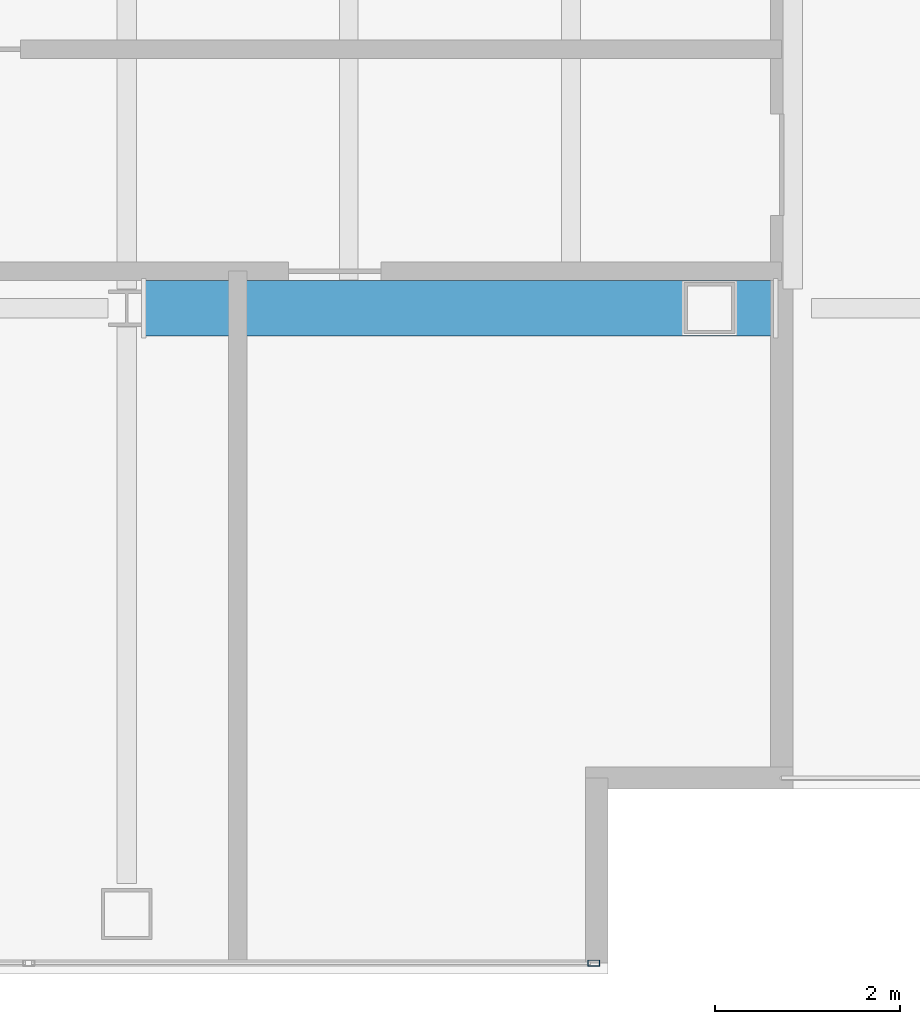
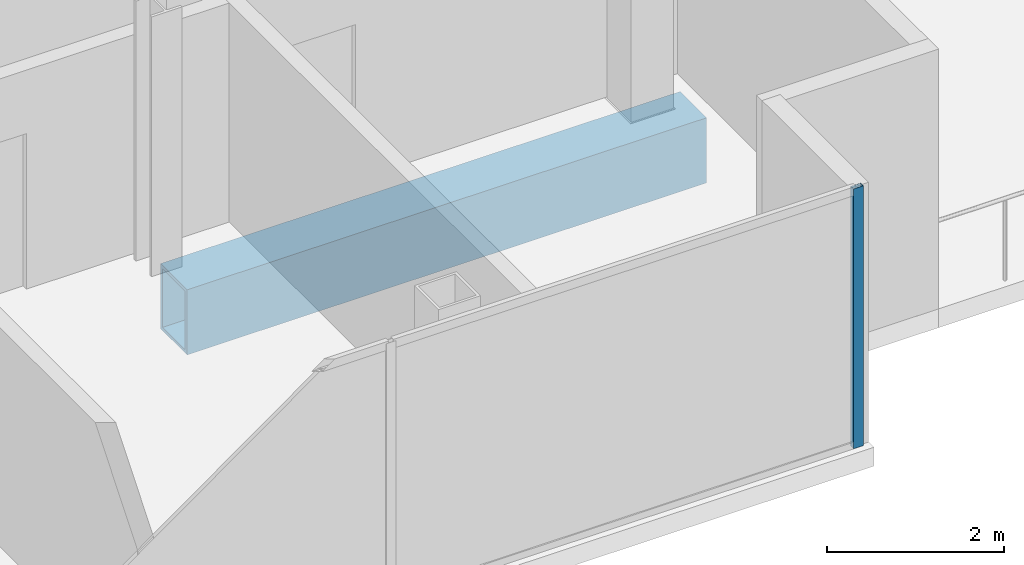
# One storey, part 6 of 16: 1 beam, 1 member, 1 element without a shape of its own.
"""IFC4 building model written with IfcOpenShell, lengths in metres."""

from ifc_helpers import new_model, si_unit, direction, frame, origin, origin_2d, place, context, subcontext, project, spatial, hollow_rectangle, extrude, material, material_profile, profile_set, type_object, element, aggregate, save


model = new_model("IFC4")

# Units and contexts
model_context = context("Model", 3, precision=1e-05, world=origin(), true_north=direction((0.0, 1.0)))
body_context = subcontext(model_context, "Body", "Model", "MODEL_VIEW")
ifc_project = project(units=[si_unit("LENGTHUNIT", "METRE"), si_unit("AREAUNIT", "SQUARE_METRE"), si_unit("VOLUMEUNIT", "CUBIC_METRE"), si_unit("PLANEANGLEUNIT", "RADIAN"), si_unit("MASSUNIT", "GRAM", prefix="KILO")], contexts=[model_context])

# Site, building, storey
site_placement = place(None, origin())
site = spatial("IfcSite", under=ifc_project, at=site_placement, CompositionType="ELEMENT")
building_placement = place(site_placement, origin())
building = spatial("IfcBuilding", under=site, at=building_placement, Name="Cobrela Telecom Tower", CompositionType="ELEMENT")
storey_placement = place(building_placement, frame((0.0, 0.0, 293.64990234375)))
storey = spatial("IfcBuildingStorey", under=building, at=storey_placement, Name="L77", CompositionType="ELEMENT", Elevation=293.64990234375)

# Beam
ifc_material_1 = material(Name="Steel ASTM A572 Grade 50", Category="steel")
ifc_material_profile_1 = material_profile(ifc_material_1, hollow_rectangle(XDim=0.60009765625, YDim=0.89990234375, WallThickness=0.044921875, at=origin_2d()), Name="BOX 900x600x45")
ifc_profile_set_1 = profile_set([ifc_material_profile_1], Name="Steel ASTM A572 Grade 50")
beam_type = type_object("IfcBeamType", Name="BM-TRG-900", PredefinedType="USERDEFINED", material=ifc_profile_set_1)
beam_placement = place(storey_placement, frame((21.804443359375, 14.39990234375, -0.7099609375), z_axis=(1.0, 0.0, 0.0), x_axis=(0.0, 1.0, 0.0)))
element("IfcBeam", 1, at=beam_placement, inside=storey, type_object=beam_type, Name="L77 Transfer Girder 01", ObjectType="GIRDER", PredefinedType="USERDEFINED", context=body_context, shape_type="SweptSolid", body=[
    extrude(hollow_rectangle(XDim=0.60009765625, YDim=0.89990234375, WallThickness=0.044921875, at=origin_2d()), origin(), (0.0, 0.0, 1.0), 6.791015625),
])

# Curtain wall, member
ifc_material_2 = material(Name="Anodized Bronze Aluminium 6063-T6", Category="aluminium")
curtain_wall_type = type_object("IfcCurtainWallType", Name="CW-SYS-DRUM", PredefinedType="USERDEFINED", material=ifc_material_2)
curtain_wall_placement = place(storey_placement, origin())
curtain_wall = element("IfcCurtainWall", 2, at=curtain_wall_placement, inside=storey, type_object=curtain_wall_type, Name="L77 Unitised Bronze Curtain Wall 11", ObjectType="UNITISED CURTAIN WALL", PredefinedType="USERDEFINED")
ifc_material_profile_2 = material_profile(ifc_material_2, hollow_rectangle(XDim=0.06494140625, YDim=0.1298828125, WallThickness=0.00390625, at=origin_2d()), Name="ALU 65x130x4")
ifc_profile_set_2 = profile_set([ifc_material_profile_2], Name="Anodized Bronze Aluminium 6063-T6")
member_type = type_object("IfcMemberType", Name="CW-SYS-DRUM-MUL", PredefinedType="MULLION", material=ifc_profile_set_2)
member_placement = place(storey_placement, frame((26.6474609375, 7.320068359375, 0.0), z_axis=(0.0, 0.0, 1.0), x_axis=(0.0, -1.0, 0.0)))
member = element("IfcMember", 3, at=member_placement, type_object=member_type, Name="CW-DRUM mullion 1", PredefinedType="MULLION", context=body_context, shape_type="SweptSolid", body=[
    extrude(hollow_rectangle(XDim=0.06494140625, YDim=0.1298828125, WallThickness=0.00390625, at=origin_2d()), origin(), (0.0, 0.0, 1.0), 3.590087890625),
])
aggregate(curtain_wall, [member])

save(model, "model.ifc")
